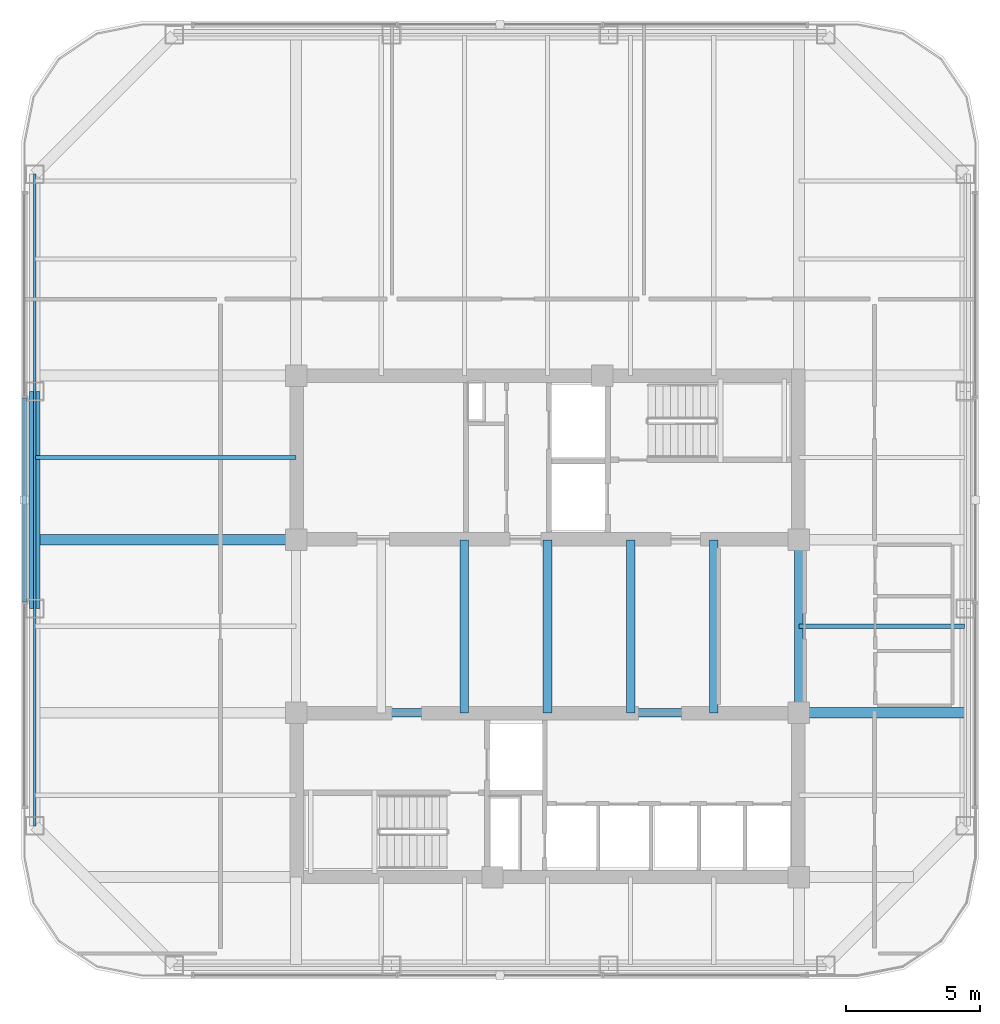
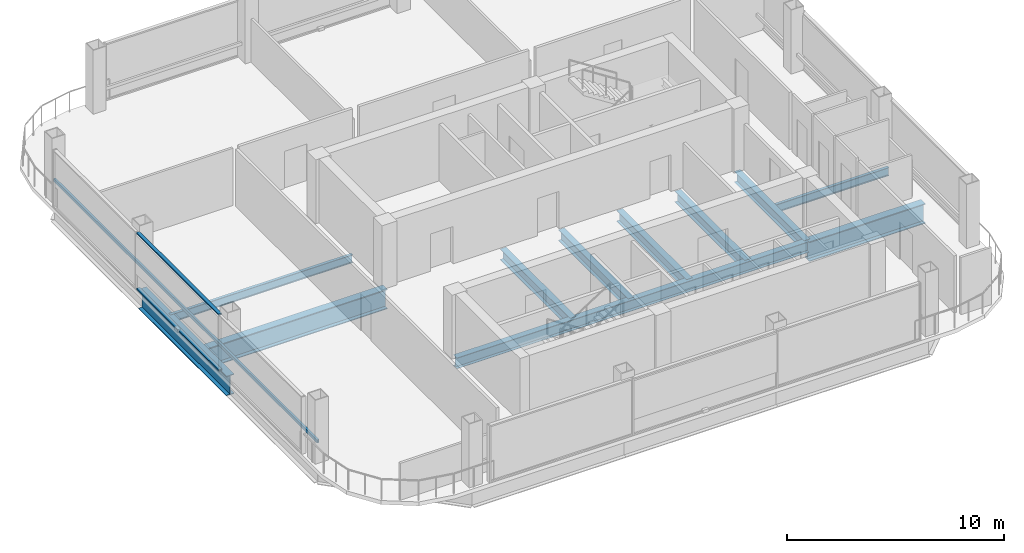
# One storey, part 5 of 19: 11 beams, 3 members, 1 element without a shape of its own.
"""IFC4 building model written with IfcOpenShell, lengths in metres."""

from ifc_helpers import new_model, si_unit, direction, frame, origin, origin_2d, place, context, subcontext, project, spatial, hollow_rectangle, i_section, extrude, material, layer, layer_set, material_profile, profile_set, type_object, element, aggregate, save


model = new_model("IFC4")

# Units and contexts
model_context = context("Model", 3, precision=1e-05, world=origin(), true_north=direction((0.0, 1.0)))
body_context = subcontext(model_context, "Body", "Model", "MODEL_VIEW")
ifc_project = project(units=[si_unit("LENGTHUNIT", "METRE"), si_unit("AREAUNIT", "SQUARE_METRE"), si_unit("VOLUMEUNIT", "CUBIC_METRE"), si_unit("PLANEANGLEUNIT", "RADIAN"), si_unit("MASSUNIT", "GRAM", prefix="KILO")], contexts=[model_context])

# Site, building, storey
site_placement = place(None, origin())
site = spatial("IfcSite", under=ifc_project, at=site_placement, CompositionType="ELEMENT")
building_placement = place(site_placement, origin())
building = spatial("IfcBuilding", under=site, at=building_placement, Name="Qhalaya Broadcast Tower", CompositionType="ELEMENT")
storey_placement = place(building_placement, frame((0.0, 0.0, 148.199951171875)))
storey = spatial("IfcBuildingStorey", under=building, at=storey_placement, Name="L43", CompositionType="ELEMENT", Elevation=148.199951171875)

# Beams
ifc_material_1 = material(Name="Structural Steel ASTM A992 Grade 50", Category="steel")
ifc_material_profile_1 = material_profile(ifc_material_1, i_section(OverallWidth=0.154052734375, OverallDepth=0.458984375, WebThickness=0.009033203125, FlangeThickness=0.015380859375, at=origin_2d()), Name="W18X46")
ifc_profile_set_1 = profile_set([ifc_material_profile_1], Name="Structural Steel ASTM A992 Grade 50")
beam_type_1 = type_object("IfcBeamType", Name="Composite Floor Joist J04", PredefinedType="JOIST", material=ifc_profile_set_1)
beam_1_placement = place(storey_placement, frame((9.375, 0.60009765625, -0.449462890625), z_axis=(1.0, 0.0, 0.0), x_axis=(0.0, 1.0, 0.0)))
element("IfcBeam", 1, at=beam_1_placement, inside=storey, type_object=beam_type_1, Name="L43 J04 L43-JWE4E-1", PredefinedType="JOIST", context=body_context, shape_type="SweptSolid", body=[
    extrude(i_section(OverallWidth=0.154052734375, OverallDepth=0.458984375, WebThickness=0.009033203125, FlangeThickness=0.015380859375, at=origin_2d()), origin(), (0.0, 0.0, 1.0), 6.18505859375),
])
beam_2_placement = place(storey_placement, frame((-19.10009765625, 6.89990234375, -0.449462890625), z_axis=(1.0, 0.0, 0.0), x_axis=(0.0, 1.0, 0.0)))
element("IfcBeam", 2, at=beam_2_placement, inside=storey, type_object=beam_type_1, Name="L43 J04 L43-JWE5W-1", PredefinedType="JOIST", context=body_context, shape_type="SweptSolid", body=[
    extrude(i_section(OverallWidth=0.154052734375, OverallDepth=0.458984375, WebThickness=0.009033203125, FlangeThickness=0.015380859375, at=origin_2d()), origin(), (0.0, 0.0, 1.0), 9.72509765625),
])
ifc_material_profile_2 = material_profile(ifc_material_1, i_section(OverallWidth=0.323974609375, OverallDepth=0.612060546875, WebThickness=0.0126953125, FlangeThickness=0.01904296875, at=origin_2d()), Name="W24X104")
ifc_profile_set_2 = profile_set([ifc_material_profile_2], Name="Structural Steel ASTM A992 Grade 50")
beam_type_2 = type_object("IfcBeamType", Name="Core Frame Tie Beam B04", PredefinedType="BEAM", material=ifc_profile_set_2)
beam_3_placement = place(storey_placement, frame((-9.375, -2.625, -0.52587890625), z_axis=(1.0, 0.0, 0.0), x_axis=(0.0, 1.0, 0.0)))
element("IfcBeam", 3, at=beam_3_placement, inside=storey, type_object=beam_type_2, Name="L43 B04 L43-CCS1", PredefinedType="BEAM", context=body_context, shape_type="SweptSolid", body=[
    extrude(i_section(OverallWidth=0.323974609375, OverallDepth=0.612060546875, WebThickness=0.0126953125, FlangeThickness=0.01904296875, at=origin_2d()), origin(), (0.0, 0.0, 1.0), 18.75),
])
for number, where, z_axis, x_axis, name in (
    (4, (9.375, -2.625, -0.52587890625), (0.0, 1.0, 0.0), (-1.0, 0.0, 0.0), "L43 B04 L43-CCE"),
    (5, (-3.10009765625, -2.625, -0.52587890625), (0.0, 1.0, 0.0), (-1.0, 0.0, 0.0), "L43 B04 L43-JC2-1"),
    (6, (0.0, -2.625, -0.52587890625), (0.0, 1.0, 0.0), (-1.0, 0.0, 0.0), "L43 B04 L43-JC3-1"),
    (7, (3.10009765625, -2.625, -0.52587890625), (0.0, 1.0, 0.0), (-1.0, 0.0, 0.0), "L43 B04 L43-JC4-1"),
    (8, (6.199951171875, -2.625, -0.52587890625), (0.0, 1.0, 0.0), (-1.0, 0.0, 0.0), "L43 B04 L43-JC5-1"),
):
    element("IfcBeam", number, at=place(storey_placement, frame(where, z_axis=z_axis, x_axis=x_axis)), inside=storey, type_object=beam_type_2, Name=name, PredefinedType="BEAM", context=body_context, shape_type="SweptSolid", body=[
        extrude(i_section(OverallWidth=0.323974609375, OverallDepth=0.612060546875, WebThickness=0.0126953125, FlangeThickness=0.01904296875, at=origin_2d()), origin(), (0.0, 0.0, 1.0), 6.449951171875),
    ])

# Member
ifc_material_2 = material(Name="Fired Architectural Terracotta", Category="masonry")
ifc_material_profile_3 = material_profile(ifc_material_2, hollow_rectangle(XDim=0.110107421875, YDim=0.179931640625, WallThickness=0.01806640625, at=origin_2d()), Name="TB-BAG 110x180x18")
ifc_profile_set_3 = profile_set([ifc_material_profile_3], Name="Fired Architectural Terracotta")
member_type_1 = type_object("IfcMemberType", Name="Fired Terracotta Facade Baguette Member TB1", PredefinedType="USERDEFINED", material=ifc_profile_set_3)
member_1_placement = place(storey_placement, frame((-19.1201171875, 17.4599609375, 0.966064453125), z_axis=(0.0, -1.0, 0.0), x_axis=(1.0, 0.0, 0.0)))
element("IfcMember", 9, at=member_1_placement, inside=storey, type_object=member_type_1, Name="L43 Terracotta Baguette Feature Rail W", ObjectType="BAGUETTE", PredefinedType="USERDEFINED", context=body_context, shape_type="SweptSolid", body=[
    extrude(hollow_rectangle(XDim=0.110107421875, YDim=0.179931640625, WallThickness=0.01806640625, at=origin_2d()), origin(), (0.0, 0.0, 1.0), 24.300048828125),
])

# Beams
ifc_material_profile_4 = material_profile(ifc_material_1, i_section(OverallWidth=0.404052734375, OverallDepth=1.117919921875, WebThickness=0.026123046875, FlangeThickness=0.044921875, at=origin_2d()), Name="W44X335")
ifc_profile_set_4 = profile_set([ifc_material_profile_4], Name="Structural Steel ASTM A992 Grade 50")
beam_type_3 = type_object("IfcBeamType", Name="Podium Long-Span Primary Girder PG1", PredefinedType="USERDEFINED", material=ifc_profile_set_4)
beam_4_placement = place(storey_placement, frame((-19.1201171875, 9.360107421875, -0.779052734375), z_axis=(0.0, -1.0, 0.0), x_axis=(1.0, 0.0, 0.0)))
element("IfcBeam", 10, at=beam_4_placement, inside=storey, type_object=beam_type_3, Name="L43 PG1 L43-SPR-14", ObjectType="GIRDER", PredefinedType="USERDEFINED", context=body_context, shape_type="SweptSolid", body=[
    extrude(i_section(OverallWidth=0.404052734375, OverallDepth=1.117919921875, WebThickness=0.026123046875, FlangeThickness=0.044921875, at=origin_2d()), origin(), (0.0, 0.0, 1.0), 8.10009765625),
])
beam_5_placement = place(storey_placement, frame((9.375, -2.625, -0.779052734375), z_axis=(1.0, 0.0, 0.0), x_axis=(0.0, 1.0, 0.0)))
element("IfcBeam", 11, at=beam_5_placement, inside=storey, type_object=beam_type_3, Name="L43 PG1 L43-PGYE2-1", ObjectType="GIRDER", PredefinedType="USERDEFINED", context=body_context, shape_type="SweptSolid", body=[
    extrude(i_section(OverallWidth=0.404052734375, OverallDepth=1.117919921875, WebThickness=0.026123046875, FlangeThickness=0.044921875, at=origin_2d()), origin(), (0.0, 0.0, 1.0), 6.18505859375),
])
beam_6_placement = place(storey_placement, frame((-19.10009765625, 3.824951171875, -0.779052734375), z_axis=(1.0, 0.0, 0.0), x_axis=(0.0, 1.0, 0.0)))
element("IfcBeam", 12, at=beam_6_placement, inside=storey, type_object=beam_type_3, Name="L43 PG1 L43-PGYW3-1", ObjectType="GIRDER", PredefinedType="USERDEFINED", context=body_context, shape_type="SweptSolid", body=[
    extrude(i_section(OverallWidth=0.404052734375, OverallDepth=1.117919921875, WebThickness=0.026123046875, FlangeThickness=0.044921875, at=origin_2d()), origin(), (0.0, 0.0, 1.0), 9.72509765625),
])

# Curtain wall, members
ifc_material_3 = material(Name="Solar-Control Low-E Triple Glazing", Category="glass")
ifc_layer = layer(ifc_material_3, 0.219970703125, Name="Solar-Control Low-E Triple Glazing")
ifc_layer_set = layer_set([ifc_layer], Name="Solar-Control Low-E Triple Glazing")
curtain_wall_type = type_object("IfcCurtainWallType", Name="Recessed Sky-Garden Neck Ribbon Curtain Wall CW-05", PredefinedType="NOTDEFINED", material=ifc_layer_set)
curtain_wall_placement = place(storey_placement, origin())
curtain_wall = element("IfcCurtainWall", 13, at=curtain_wall_placement, inside=storey, type_object=curtain_wall_type, Name="L43 Unitised Curtain Wall L43-CW-W", PredefinedType="NOTDEFINED")
ifc_material_4 = material(Name="Anodised Aluminium 6063-T6", Category="aluminium")
ifc_material_profile_5 = material_profile(ifc_material_4, hollow_rectangle(XDim=0.074951171875, YDim=0.179931640625, WallThickness=0.00390625, at=origin_2d()), Name="ALU-TRN 75x180x4")
ifc_profile_set_5 = profile_set([ifc_material_profile_5], Name="Anodised Aluminium 6063-T6")
member_type_2 = type_object("IfcMemberType", Name="Unitised Curtain-Wall Transom T01", PredefinedType="USERDEFINED", material=ifc_profile_set_5)
member_2_placement = place(storey_placement, frame((-19.5, 9.105712890625, 0.03759765625), z_axis=(0.0, -1.0, 0.0), x_axis=(0.0, 0.0, 1.0)))
member_2 = element("IfcMember", 14, at=member_2_placement, type_object=member_type_2, Name="CW-05 transom 2.1", ObjectType="TRANSOM", PredefinedType="USERDEFINED", context=body_context, shape_type="SweptSolid", body=[
    extrude(hollow_rectangle(XDim=0.074951171875, YDim=0.179931640625, WallThickness=0.00390625, at=origin_2d()), origin(), (0.0, 0.0, 1.0), 7.591552734375),
])
member_3_placement = place(storey_placement, frame((-19.5, 9.105712890625, 3.1826171875), z_axis=(0.0, -1.0, 0.0), x_axis=(0.0, 0.0, 1.0)))
member_3 = element("IfcMember", 15, at=member_3_placement, type_object=member_type_2, Name="CW-05 transom 2.2", ObjectType="TRANSOM", PredefinedType="USERDEFINED", context=body_context, shape_type="SweptSolid", body=[
    extrude(hollow_rectangle(XDim=0.074951171875, YDim=0.179931640625, WallThickness=0.00390625, at=origin_2d()), origin(), (0.0, 0.0, 1.0), 7.591552734375),
])
aggregate(curtain_wall, [member_2, member_3])

save(model, "model.ifc")
